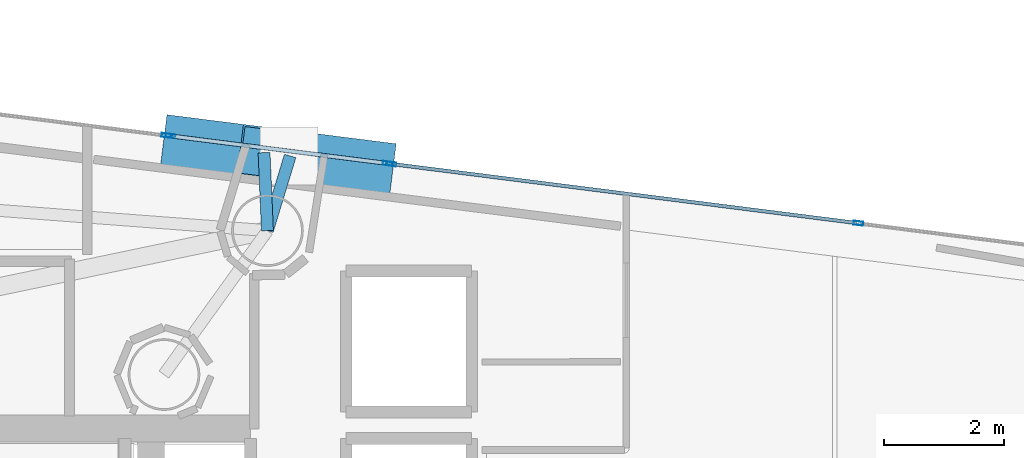
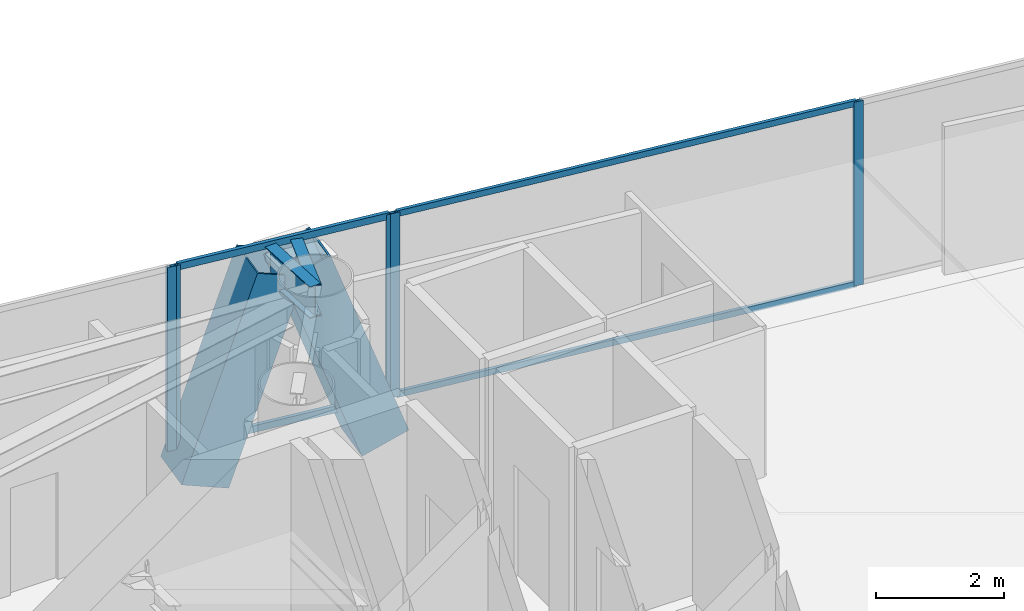
# One storey, part 14 of 23: 11 members, 2 beams, 3 elements without a shape of their own.
"""IFC4 building model written with IfcOpenShell, lengths in metres."""

from ifc_helpers import new_model, si_unit, direction, frame, origin, origin_2d, place, context, subcontext, project, spatial, hollow_rectangle, i_section, extrude, material, layer, layer_set, material_profile, profile_set, type_object, element, aggregate, save


model = new_model("IFC4")

# Units and contexts
model_context = context("Model", 3, precision=1e-05, world=origin(), true_north=direction((0.0, 1.0)))
body_context = subcontext(model_context, "Body", "Model", "MODEL_VIEW")
ifc_project = project(units=[si_unit("LENGTHUNIT", "METRE"), si_unit("AREAUNIT", "SQUARE_METRE"), si_unit("VOLUMEUNIT", "CUBIC_METRE"), si_unit("PLANEANGLEUNIT", "RADIAN"), si_unit("MASSUNIT", "GRAM", prefix="KILO")], contexts=[model_context])

# Site, building, storey
site_placement = place(None, origin())
site = spatial("IfcSite", under=ifc_project, at=site_placement, CompositionType="ELEMENT")
building_placement = place(site_placement, origin())
building = spatial("IfcBuilding", under=site, at=building_placement, Name="Qianvela Tower", CompositionType="ELEMENT")
storey_placement = place(building_placement, frame((0.0, 0.0, 218.800048828125)))
storey = spatial("IfcBuildingStorey", under=building, at=storey_placement, Name="L56", CompositionType="ELEMENT", Elevation=218.800048828125)

# Beams
ifc_material_1 = material(Name="Steel Q355B", Category="steel")
ifc_material_profile_1 = material_profile(ifc_material_1, i_section(OverallWidth=0.199951171875, OverallDepth=0.60009765625, WebThickness=0.010986328125, FlangeThickness=0.01708984375, at=origin_2d()), Name="HN600x200x11x17")
ifc_profile_set_1 = profile_set([ifc_material_profile_1], Name="Steel Q355B")
beam_type = type_object("IfcBeamType", Name="BM-HN600-GIRD", PredefinedType="BEAM", material=ifc_profile_set_1)
for number, where, z_axis, x_axis, name in (
    (1, (40.131103515625, 35.9580078125, 3.218017578125), (0.291064972312, 0.956703288326, 0.0), (-0.956703288326, 0.291064972312, 0.0), "L56 Mega-Brace Column Tie Bracket F1-1"),
    (2, (40.131103515625, 35.9580078125, 3.218017578125), (-0.042967014402, 0.999076491403, 0.0), (-0.999076491403, -0.042967014402, 0.0), "L56 Mega-Brace Column Tie Bracket F1-2"),
):
    element("IfcBeam", number, at=place(storey_placement, frame(where, z_axis=z_axis, x_axis=x_axis)), inside=storey, type_object=beam_type, Name=name, PredefinedType="BEAM", context=body_context, shape_type="SweptSolid", body=[
        extrude(i_section(OverallWidth=0.199951171875, OverallDepth=0.60009765625, WebThickness=0.010986328125, FlangeThickness=0.01708984375, at=origin_2d()), origin(), (0.0, 0.0, 1.0), 1.306884765625),
    ])

# Curtain wall, members
ifc_material_2 = material(Name="Anodised Architectural Aluminium and Insulated Spandrel Panel", Category="aluminium")
ifc_layer_1 = layer(ifc_material_2, 0.179931640625)
ifc_layer_set_1 = layer_set([ifc_layer_1], Name="Anodised Architectural Aluminium and Insulated Spandrel Panel")
curtain_wall_type_1 = type_object("IfcCurtainWallType", Name="CW-BRACEBAY", PredefinedType="USERDEFINED", material=ifc_layer_set_1)
curtain_wall_1_placement = place(storey_placement, origin())
curtain_wall_1 = element("IfcCurtainWall", 3, at=curtain_wall_1_placement, inside=storey, type_object=curtain_wall_type_1, Name="L56 CW-BRACEBAY Curtain Wall 02B", ObjectType="CURTAIN_WALL_SYSTEM", PredefinedType="USERDEFINED")
ifc_material_3 = material(Name="Anodised Architectural Aluminium 6063-T6", Category="aluminium")
ifc_material_profile_2 = material_profile(ifc_material_3, hollow_rectangle(XDim=0.06494140625, YDim=0.159912109375, WallThickness=0.0048828125, at=origin_2d()), Name="ALU-MULL-65x160")
ifc_profile_set_2 = profile_set([ifc_material_profile_2], Name="Anodised Architectural Aluminium 6063-T6")
member_type_1 = type_object("IfcMemberType", Name="CW-BRACEBAY-MULL", PredefinedType="MULLION", material=ifc_profile_set_2)
member_1_placement = place(storey_placement, frame((42.141845703125, 37.08203125, 0.0), z_axis=(0.0, 0.0, 1.0), x_axis=(-0.125898828027, -0.992043086313, 0.0)))
member_1 = element("IfcMember", 4, at=member_1_placement, type_object=member_type_1, Name="CW-9 mullion 1", PredefinedType="MULLION", context=body_context, shape_type="SweptSolid", body=[
    extrude(hollow_rectangle(XDim=0.06494140625, YDim=0.159912109375, WallThickness=0.0048828125, at=origin_2d()), origin(), (0.0, 0.0, 1.0), 3.52001953125),
])
member_2_placement = place(storey_placement, frame((38.506103515625, 37.54345703125, 0.0), z_axis=(0.0, 0.0, 1.0), x_axis=(-0.125898828027, -0.992043086313, 0.0)))
member_2 = element("IfcMember", 5, at=member_2_placement, type_object=member_type_1, Name="CW-9 mullion 2", PredefinedType="MULLION", context=body_context, shape_type="SweptSolid", body=[
    extrude(hollow_rectangle(XDim=0.06494140625, YDim=0.159912109375, WallThickness=0.0048828125, at=origin_2d()), origin(), (0.0, 0.0, 1.0), 3.52001953125),
])
ifc_material_4 = material(Name="Anodised Architectural Aluminium 6063-T6", Category="aluminium")
ifc_material_profile_3 = material_profile(ifc_material_4, hollow_rectangle(XDim=0.06494140625, YDim=0.1298828125, WallThickness=0.00439453125, at=origin_2d()), Name="ALU-TRAN-65x130")
ifc_profile_set_3 = profile_set([ifc_material_profile_3], Name="Anodised Architectural Aluminium 6063-T6")
member_type_2 = type_object("IfcMemberType", Name="CW-BRACEBAY-TRAN", PredefinedType="USERDEFINED", material=ifc_profile_set_3)
member_3_placement = place(storey_placement, frame((42.109619140625, 37.086181640625, 0.032470703125), z_axis=(-0.992046638583, 0.1258708341, 0.0), x_axis=(-0.1258708341, -0.992046638583, 0.0)))
member_3 = element("IfcMember", 6, at=member_3_placement, type_object=member_type_2, Name="CW-9 transom 1.1", ObjectType="TRANSOM", PredefinedType="USERDEFINED", context=body_context, shape_type="SweptSolid", body=[
    extrude(hollow_rectangle(XDim=0.06494140625, YDim=0.1298828125, WallThickness=0.00439453125, at=origin_2d()), origin(), (0.0, 0.0, 1.0), 3.599853515625),
])
member_4_placement = place(storey_placement, frame((42.109619140625, 37.086181640625, 3.487548828125), z_axis=(-0.992046638583, 0.1258708341, 0.0), x_axis=(-0.1258708341, -0.992046638583, 0.0)))
member_4 = element("IfcMember", 7, at=member_4_placement, type_object=member_type_2, Name="CW-9 transom 1.2", ObjectType="TRANSOM", PredefinedType="USERDEFINED", context=body_context, shape_type="SweptSolid", body=[
    extrude(hollow_rectangle(XDim=0.06494140625, YDim=0.1298828125, WallThickness=0.00439453125, at=origin_2d()), origin(), (0.0, 0.0, 1.0), 3.599853515625),
])
aggregate(curtain_wall_1, [member_1, member_2, member_3, member_4])

ifc_material_5 = material(Name="Anodised Architectural Aluminium and Low-E Glass", Category="aluminium")
ifc_layer_2 = layer(ifc_material_5, 0.159912109375)
ifc_layer_set_2 = layer_set([ifc_layer_2], Name="Anodised Architectural Aluminium and Low-E Glass")
curtain_wall_type_2 = type_object("IfcCurtainWallType", Name="CW-COLIV-Z56", PredefinedType="USERDEFINED", material=ifc_layer_set_2)
curtain_wall_2_placement = place(storey_placement, origin())
curtain_wall_2 = element("IfcCurtainWall", 8, at=curtain_wall_2_placement, inside=storey, type_object=curtain_wall_type_2, Name="L56 CW-COLIV-Z56 Curtain Wall 02A", ObjectType="CURTAIN_WALL_SYSTEM", PredefinedType="USERDEFINED")
ifc_material_6 = material(Name="Anodised Architectural Aluminium 6063-T6", Category="aluminium")
ifc_material_profile_4 = material_profile(ifc_material_6, hollow_rectangle(XDim=0.06494140625, YDim=0.159912109375, WallThickness=0.0048828125, at=origin_2d()), Name="ALU-MULL-65x160")
ifc_profile_set_4 = profile_set([ifc_material_profile_4], Name="Anodised Architectural Aluminium 6063-T6")
member_type_3 = type_object("IfcMemberType", Name="CW-COLIV-Z56-MULL", PredefinedType="MULLION", material=ifc_profile_set_4)
member_5_placement = place(storey_placement, frame((50.021240234375, 36.08203125, 0.0), z_axis=(0.0, 0.0, 1.0), x_axis=(-0.125904009122, -0.992042428774, 0.0)))
member_5 = element("IfcMember", 9, at=member_5_placement, type_object=member_type_3, Name="CW-5 mullion 2", PredefinedType="MULLION", context=body_context, shape_type="SweptSolid", body=[
    extrude(hollow_rectangle(XDim=0.06494140625, YDim=0.159912109375, WallThickness=0.0048828125, at=origin_2d()), origin(), (0.0, 0.0, 1.0), 3.52001953125),
])
member_6_placement = place(storey_placement, frame((42.20654296875, 37.07373046875, 0.0), z_axis=(0.0, 0.0, 1.0), x_axis=(-0.125904009122, -0.992042428774, 0.0)))
member_6 = element("IfcMember", 10, at=member_6_placement, type_object=member_type_3, Name="CW-5 mullion 3", PredefinedType="MULLION", context=body_context, shape_type="SweptSolid", body=[
    extrude(hollow_rectangle(XDim=0.06494140625, YDim=0.159912109375, WallThickness=0.0048828125, at=origin_2d()), origin(), (0.0, 0.0, 1.0), 3.52001953125),
])

# Curtain wall, member
curtain_wall_3_placement = place(storey_placement, origin())
curtain_wall_3 = element("IfcCurtainWall", 11, at=curtain_wall_3_placement, inside=storey, type_object=curtain_wall_type_2, Name="L56 CW-COLIV-Z56 Curtain Wall 02C", ObjectType="CURTAIN_WALL_SYSTEM", PredefinedType="USERDEFINED")
member_7_placement = place(storey_placement, frame((38.441650390625, 37.551513671875, 0.0), z_axis=(0.0, 0.0, 1.0), x_axis=(-0.125902539925, -0.992042615234, 0.0)))
member_7 = element("IfcMember", 12, at=member_7_placement, type_object=member_type_3, Name="CW-5 mullion 1", PredefinedType="MULLION", context=body_context, shape_type="SweptSolid", body=[
    extrude(hollow_rectangle(XDim=0.06494140625, YDim=0.159912109375, WallThickness=0.0048828125, at=origin_2d()), origin(), (0.0, 0.0, 1.0), 3.52001953125),
])
aggregate(curtain_wall_3, [member_7])

# Member
ifc_material_7 = material(Name="Anodised Architectural Aluminium 6063-T6", Category="aluminium")
ifc_material_profile_5 = material_profile(ifc_material_7, hollow_rectangle(XDim=0.06005859375, YDim=0.114990234375, WallThickness=0.00390625, at=origin_2d()), Name="ALU-TRAN-60x115")
ifc_profile_set_5 = profile_set([ifc_material_profile_5], Name="Anodised Architectural Aluminium 6063-T6")
member_type_4 = type_object("IfcMemberType", Name="CW-COLIV-Z56-TRAN", PredefinedType="USERDEFINED", material=ifc_profile_set_5)
member_8_placement = place(storey_placement, frame((49.989013671875, 36.086181640625, 0.030029296875), z_axis=(-0.992041971668, 0.125907610769, 0.0), x_axis=(-0.125907610769, -0.992041971668, 0.0)))
member_8 = element("IfcMember", 13, at=member_8_placement, type_object=member_type_4, Name="CW-5 transom 2.1", ObjectType="TRANSOM", PredefinedType="USERDEFINED", context=body_context, shape_type="SweptSolid", body=[
    extrude(hollow_rectangle(XDim=0.06005859375, YDim=0.114990234375, WallThickness=0.00390625, at=origin_2d()), origin(), (0.0, 0.0, 1.0), 7.8125),
])

member_9_placement = place(storey_placement, frame((49.989013671875, 36.086181640625, 3.489990234375), z_axis=(-0.992041971668, 0.125907610769, 0.0), x_axis=(-0.125907610769, -0.992041971668, 0.0)))
member_9 = element("IfcMember", 14, at=member_9_placement, type_object=member_type_4, Name="CW-5 transom 2.2", ObjectType="TRANSOM", PredefinedType="USERDEFINED", context=body_context, shape_type="SweptSolid", body=[
    extrude(hollow_rectangle(XDim=0.06005859375, YDim=0.114990234375, WallThickness=0.00390625, at=origin_2d()), origin(), (0.0, 0.0, 1.0), 7.8125),
])

aggregate(curtain_wall_2, [member_5, member_6, member_8, member_9])

# Members
ifc_material_8 = material(Name="Steel Q420GJC", Category="steel")
ifc_material_profile_6 = material_profile(ifc_material_8, hollow_rectangle(XDim=0.85009765625, YDim=0.85009765625, WallThickness=0.031982421875, at=origin_2d()), Name="MBOX-850x850x32")
ifc_profile_set_6 = profile_set([ifc_material_profile_6], Name="Steel Q420GJC")
member_type_5 = type_object("IfcMemberType", Name="MBR-MBRACE-850", PredefinedType="BRACE", material=ifc_profile_set_6)
member_10_placement = place(storey_placement, frame((41.835205078125, 37.040283203125, -0.48193359375), z_axis=(-0.336552484399, 0.042705294959, 0.940695850436), x_axis=(-0.125881075852, -0.992045339056, 0.0)))
element("IfcMember", 15, at=member_10_placement, inside=storey, type_object=member_type_5, Name="L56 Tier 9 Exterior Mega-Brace F1A", PredefinedType="BRACE", context=body_context, shape_type="SweptSolid", body=[
    extrude(hollow_rectangle(XDim=0.85009765625, YDim=0.85009765625, WallThickness=0.031982421875, at=origin_2d()), origin(), (0.0, 0.0, 1.0), 3.93310546875),
])
member_11_placement = place(storey_placement, frame((38.794677734375, 37.426025390625, -0.48193359375), z_axis=(0.326720546669, -0.041431953382, 0.944212411284), x_axis=(0.125804089385, 0.992055104868, 0.0)))
element("IfcMember", 16, at=member_11_placement, inside=storey, type_object=member_type_5, Name="L56 Tier 9 Exterior Mega-Brace F1B", PredefinedType="BRACE", context=body_context, shape_type="SweptSolid", body=[
    extrude(hollow_rectangle(XDim=0.85009765625, YDim=0.85009765625, WallThickness=0.031982421875, at=origin_2d()), origin(), (0.0, 0.0, 1.0), 3.91845703125),
])

save(model, "model.ifc")
